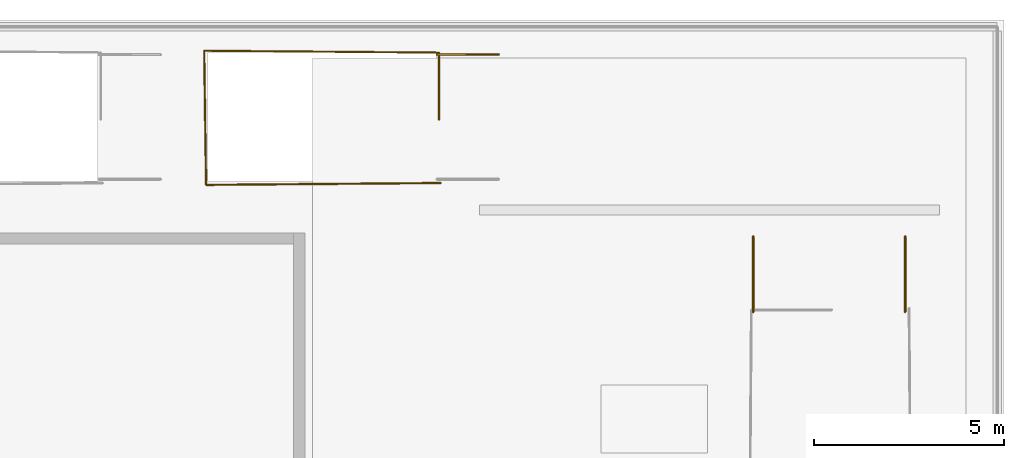
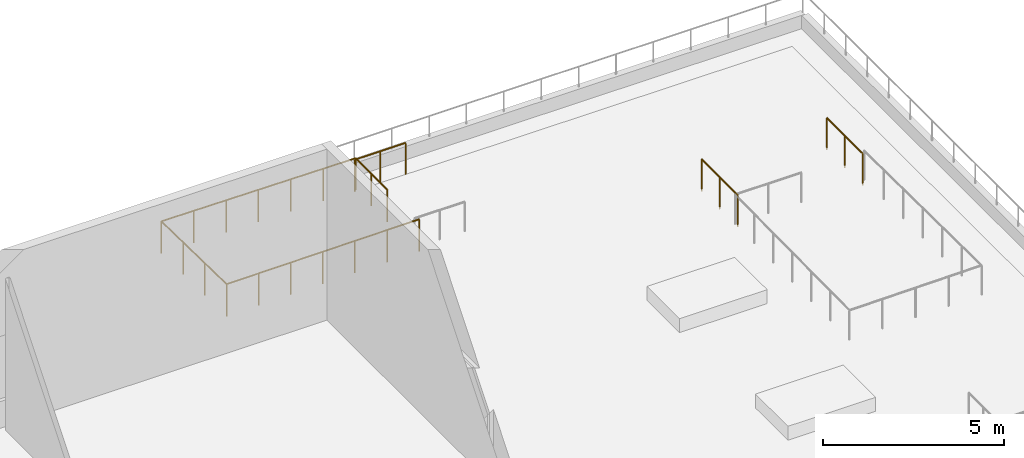
# One storey, part 13 of 13: 4 railings.
"""IFC4 building model written with IfcOpenShell, lengths in metres."""

from ifc_helpers import new_model, si_unit, direction, frame, origin, origin_2d, place, context, subcontext, project, spatial, circle, extrude, material, layer, layer_set, type_object, element, save


model = new_model("IFC4")

# Units and contexts
model_context = context("Model", 3, precision=1e-05, world=origin(), true_north=direction((0.0, 1.0)))
body_context = subcontext(model_context, "Body", "Model", "MODEL_VIEW")
ifc_project = project(units=[si_unit("LENGTHUNIT", "METRE"), si_unit("AREAUNIT", "SQUARE_METRE"), si_unit("VOLUMEUNIT", "CUBIC_METRE"), si_unit("PLANEANGLEUNIT", "RADIAN"), si_unit("MASSUNIT", "GRAM", prefix="KILO")], contexts=[model_context])

# Site, building, storey
site_placement = place(None, origin())
site = spatial("IfcSite", under=ifc_project, at=site_placement, CompositionType="ELEMENT")
building_placement = place(site_placement, origin())
building = spatial("IfcBuilding", under=site, at=building_placement, Name="Ndaravel Arena Tower", CompositionType="ELEMENT")
storey_placement = place(building_placement, frame((0.0, 0.0, 30.0)))
storey = spatial("IfcBuildingStorey", under=building, at=storey_placement, Name="L05", CompositionType="ELEMENT", Elevation=30.0)

# Railings
ifc_material = material(Name="Steel S355", Category="steel")
ifc_layer = layer(ifc_material, 0.06005859375)
ifc_layer_set = layer_set([ifc_layer], Name="Steel S355")
railing_type = type_object("IfcRailingType", Name="RAIL-STAIR-GD1100", PredefinedType="GUARDRAIL", material=ifc_layer_set)
railing_1_placement = place(storey_placement, frame((69.179931640625, 43.7099609375, 0.0)))
element("IfcRailing", 1, at=railing_1_placement, inside=storey, type_object=railing_type, Name="L05 ST-A11 top well guard 1", PredefinedType="GUARDRAIL", context=body_context, shape_type="SweptSolid", body=[
    extrude(circle(Radius=0.02392578125, at=origin_2d()), frame((0.0, 0.0, 1.076171875), z_axis=(-0.999967207908, -0.008098339889, 0.0), x_axis=(0.008098339889, -0.999967207908, 0.0)), (0.0, 0.0, 1.0), 6.18017578125),
    extrude(circle(Radius=0.02392578125, at=origin_2d()), frame((-6.179931640625, -0.050048828125, 1.076171875), z_axis=(-0.014176595818, 0.999899507016, 0.0), x_axis=(-0.999899507016, -0.014176595818, 0.0)), (0.0, 0.0, 1.0), 3.5302734375),
    extrude(circle(Radius=0.02392578125, at=origin_2d()), frame((-6.22998046875, 3.47998046875, 1.076171875), z_axis=(0.999967207908, -0.008098339889, 0.0), x_axis=(0.008098339889, 0.999967207908, 0.0)), (0.0, 0.0, 1.0), 6.18017578125),
    extrude(circle(Radius=0.02392578125, at=origin_2d()), frame((-0.050048828125, 3.429931640625, 1.076171875), z_axis=(0.0, -1.0, 0.0), x_axis=(1.0, 0.0, 0.0)), (0.0, 0.0, 1.0), 1.760009765625),
    extrude(circle(Radius=0.02099609375, at=origin_2d()), origin(), (0.0, 0.0, 1.0), 1.052001953125),
    extrude(circle(Radius=0.02099609375, at=origin_2d()), frame((-1.030029296875, -0.00830078125, 0.0)), (0.0, 0.0, 1.0), 1.052001953125),
    extrude(circle(Radius=0.02099609375, at=origin_2d()), frame((-2.06005859375, -0.0166015625, 0.0)), (0.0, 0.0, 1.0), 1.052001953125),
    extrude(circle(Radius=0.02099609375, at=origin_2d()), frame((-3.08984375, -0.02490234375, 0.0)), (0.0, 0.0, 1.0), 1.052001953125),
    extrude(circle(Radius=0.02099609375, at=origin_2d()), frame((-4.119873046875, -0.033447265625, 0.0)), (0.0, 0.0, 1.0), 1.052001953125),
    extrude(circle(Radius=0.02099609375, at=origin_2d()), frame((-5.14990234375, -0.041748046875, 0.0)), (0.0, 0.0, 1.0), 1.052001953125),
    extrude(circle(Radius=0.02099609375, at=origin_2d()), frame((-6.179931640625, -0.050048828125, 0.0)), (0.0, 0.0, 1.0), 1.052001953125),
    extrude(circle(Radius=0.02099609375, at=origin_2d()), frame((-6.196533203125, 1.126708984375, 0.0)), (0.0, 0.0, 1.0), 1.052001953125),
    extrude(circle(Radius=0.02099609375, at=origin_2d()), frame((-6.21337890625, 2.30322265625, 0.0)), (0.0, 0.0, 1.0), 1.052001953125),
    extrude(circle(Radius=0.02099609375, at=origin_2d()), frame((-6.22998046875, 3.47998046875, 0.0)), (0.0, 0.0, 1.0), 1.052001953125),
    extrude(circle(Radius=0.02099609375, at=origin_2d()), frame((-5.199951171875, 3.4716796875, 0.0)), (0.0, 0.0, 1.0), 1.052001953125),
    extrude(circle(Radius=0.02099609375, at=origin_2d()), frame((-4.169921875, 3.46337890625, 0.0)), (0.0, 0.0, 1.0), 1.052001953125),
    extrude(circle(Radius=0.02099609375, at=origin_2d()), frame((-3.14013671875, 3.455078125, 0.0)), (0.0, 0.0, 1.0), 1.052001953125),
    extrude(circle(Radius=0.02099609375, at=origin_2d()), frame((-2.110107421875, 3.446533203125, 0.0)), (0.0, 0.0, 1.0), 1.052001953125),
    extrude(circle(Radius=0.02099609375, at=origin_2d()), frame((-1.080078125, 3.438232421875, 0.0)), (0.0, 0.0, 1.0), 1.052001953125),
    extrude(circle(Radius=0.02099609375, at=origin_2d()), frame((-0.050048828125, 3.429931640625, 0.0)), (0.0, 0.0, 1.0), 1.052001953125),
    extrude(circle(Radius=0.02099609375, at=origin_2d()), frame((-0.050048828125, 2.5498046875, 0.0)), (0.0, 0.0, 1.0), 1.052001953125),
    extrude(circle(Radius=0.02099609375, at=origin_2d()), frame((-0.050048828125, 1.669921875, 0.0)), (0.0, 0.0, 1.0), 1.052001953125),
])
railing_2_placement = place(storey_placement, frame((70.699951171875, 47.090087890625, 0.0)))
element("IfcRailing", 2, at=railing_2_placement, inside=storey, type_object=railing_type, Name="L05 ST-A11 top well guard 2", PredefinedType="GUARDRAIL", context=body_context, shape_type="SweptSolid", body=[
    extrude(circle(Radius=0.02392578125, at=origin_2d()), frame((0.0, 0.0, 1.076171875), z_axis=(-1.0, 0.0, 0.0), x_axis=(0.0, -1.0, 0.0)), (0.0, 0.0, 1.0), 1.619873046875),
    extrude(circle(Radius=0.02099609375, at=origin_2d()), origin(), (0.0, 0.0, 1.0), 1.052001953125),
    extrude(circle(Radius=0.02099609375, at=origin_2d()), frame((-0.81005859375, 0.0, 0.0)), (0.0, 0.0, 1.0), 1.052001953125),
    extrude(circle(Radius=0.02099609375, at=origin_2d()), frame((-1.619873046875, 0.0, 0.0)), (0.0, 0.0, 1.0), 1.052001953125),
])
for number, where, name in (
    (3, (77.39990234375, 42.300048828125, 0.0), "L05 ST-GDN-2 top well guard 2"),
    (4, (81.39990234375, 42.300048828125, 0.0), "L05 ST-GDN-2 top well guard 3"),
):
    element("IfcRailing", number, at=place(storey_placement, frame(where)), inside=storey, type_object=railing_type, Name=name, PredefinedType="GUARDRAIL", context=body_context, shape_type="SweptSolid", body=[
        extrude(circle(Radius=0.02392578125, at=origin_2d()), frame((0.0, 0.0, 1.076171875), z_axis=(0.0, -1.0, 0.0), x_axis=(1.0, 0.0, 0.0)), (0.0, 0.0, 1.0), 1.97998046875),
        extrude(circle(Radius=0.02099609375, at=origin_2d()), origin(), (0.0, 0.0, 1.0), 1.052001953125),
        extrude(circle(Radius=0.02099609375, at=origin_2d()), frame((0.0, -0.989990234375, 0.0)), (0.0, 0.0, 1.0), 1.052001953125),
        extrude(circle(Radius=0.02099609375, at=origin_2d()), frame((0.0, -1.97998046875, 0.0)), (0.0, 0.0, 1.0), 1.052001953125),
    ])

save(model, "model.ifc")
